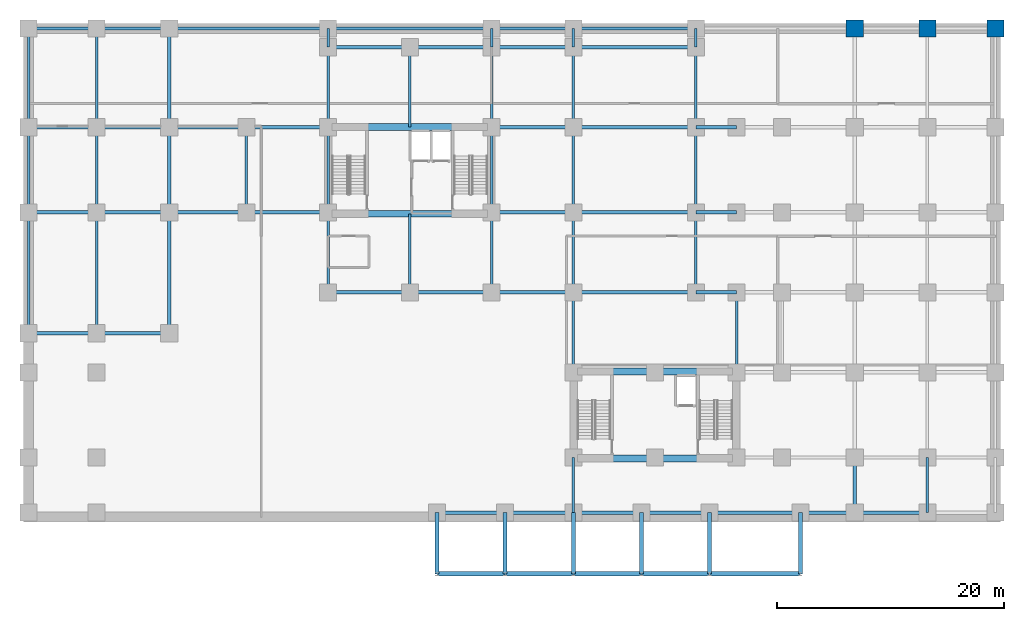
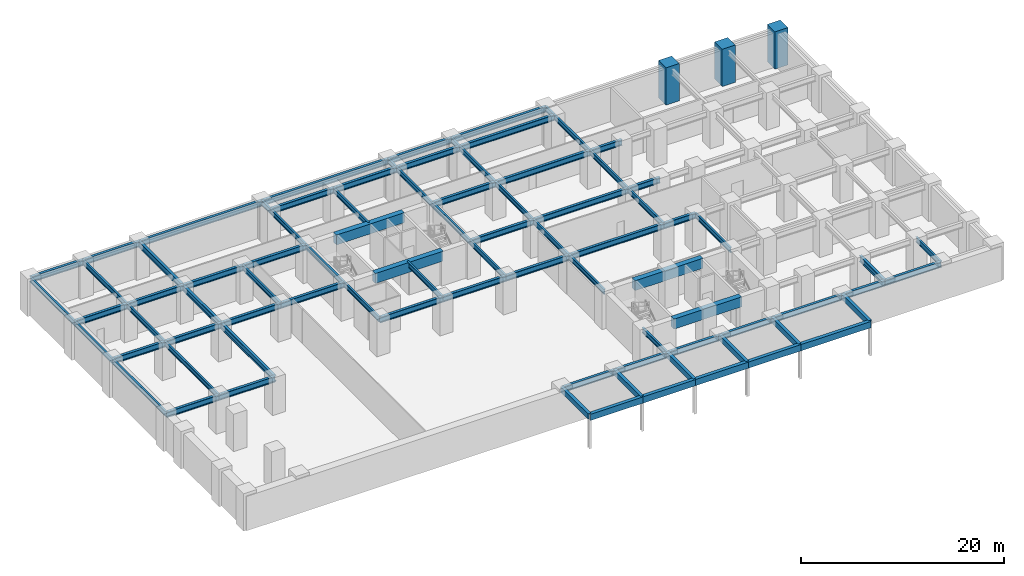
# One storey, part 5 of 11: 86 beams, 3 columns.
"""IFC4 building model written with IfcOpenShell, lengths in metres."""

from ifc_helpers import new_model, si_unit, direction, frame, origin, origin_2d, place, context, subcontext, project, spatial, rectangle, i_section, extrude, source, transform, mapped, material, material_profile, profile_set, type_object, element, save


model = new_model("IFC4")

# Units and contexts
model_context = context("Model", 3, precision=1e-05, world=origin(), true_north=direction((0.0, 1.0)))
body_context = subcontext(model_context, "Body", "Model", "MODEL_VIEW")
ifc_project = project(units=[si_unit("LENGTHUNIT", "METRE"), si_unit("AREAUNIT", "SQUARE_METRE"), si_unit("VOLUMEUNIT", "CUBIC_METRE"), si_unit("PLANEANGLEUNIT", "RADIAN"), si_unit("MASSUNIT", "GRAM", prefix="KILO")], contexts=[model_context])

# Site, building, storey
site_placement = place(None, origin())
site = spatial("IfcSite", under=ifc_project, at=site_placement, CompositionType="ELEMENT")
building_placement = place(site_placement, origin())
building = spatial("IfcBuilding", under=site, at=building_placement, Name="Kaliganga Portal Commons", CompositionType="ELEMENT")
storey_placement = place(building_placement, frame((0.0, 0.0, -4.5)))
storey = spatial("IfcBuildingStorey", under=building, at=storey_placement, Name="B1", CompositionType="ELEMENT", Elevation=-4.5)

# Columns
ifc_material_1 = material(Name="Concrete C70/85", Category="concrete")
ifc_material_profile_1 = material_profile(ifc_material_1, rectangle(XDim=1.5, YDim=1.5, at=origin_2d()), Name="RC 1500x1500")
ifc_profile_set_1 = profile_set([ifc_material_profile_1], Name="Concrete C70/85")
column_type = type_object("IfcColumnType", Name="COL-MEGA-Z0", PredefinedType="COLUMN", material=ifc_profile_set_1)
shared_shape_1 = source(origin(), body_context, "Body", "SweptSolid", [
    extrude(rectangle(XDim=1.5, YDim=1.5, at=origin_2d()), origin(), (0.0, 0.0, 1.0), 4.5),
])
for number, where, z_axis, x_axis, name in (
    (1, (60.800048828125, 44.85009765625, 0.0), (0.0, 0.0, 1.0), (1.0, 0.0, 0.0), "Column MC-01 B1"),
    (2, (67.199951171875, 44.85009765625, 0.0), (0.0, 0.0, 1.0), (1.0, 0.0, 0.0), "Column MC-01 B1"),
    (3, (73.199951171875, 44.85009765625, 0.0), (0.0, 0.0, 1.0), (1.0, 0.0, 0.0), "Column MC-01 B1"),
):
    element("IfcColumn", number, at=place(storey_placement, frame(where, z_axis=z_axis, x_axis=x_axis)), inside=storey, type_object=column_type, Name=name, PredefinedType="COLUMN", context=body_context, shape_type="MappedRepresentation", body=[
        mapped(shared_shape_1, transform((0.0, 0.0, 0.0), x_axis=(1.0, 0.0, 0.0), y_axis=(0.0, 1.0, 0.0), z_axis=(0.0, 0.0, 1.0), scale=1.0)),
    ])

# Beams
ifc_material_2 = material(Name="Concrete C60/75", Category="concrete")
ifc_material_profile_2 = material_profile(ifc_material_2, rectangle(XDim=0.60009765625, YDim=1.199951171875, at=origin_2d()), Name="RC 600x1200")
ifc_profile_set_2 = profile_set([ifc_material_profile_2], Name="Concrete C60/75")
beam_type_1 = type_object("IfcBeamType", Name="BM-CPL-1200", PredefinedType="LINTEL", material=ifc_profile_set_2)
shared_shape_2 = source(origin(), body_context, "Body", "SweptSolid", [
    extrude(rectangle(XDim=0.60009765625, YDim=1.199951171875, at=origin_2d()), origin(), (0.0, 0.0, 1.0), 7.739990234375),
])
for number, where, z_axis, x_axis, name in (
    (4, (17.72998046875, 28.52490234375, 3.550048828125), (1.0, 0.0, 0.0), (0.0, 1.0, 0.0), "BM CPL COREA B1 S"),
    (5, (17.72998046875, 36.175048828125, 3.550048828125), (1.0, 0.0, 0.0), (0.0, 1.0, 0.0), "BM CPL COREA B1 N"),
    (6, (39.330078125, 6.97509765625, 3.550048828125), (1.0, 0.0, 0.0), (0.0, 1.0, 0.0), "BM CPL COREB B1 S"),
    (7, (39.330078125, 14.625, 3.550048828125), (1.0, 0.0, 0.0), (0.0, 1.0, 0.0), "BM CPL COREB B1 N"),
):
    element("IfcBeam", number, at=place(storey_placement, frame(where, z_axis=z_axis, x_axis=x_axis)), inside=storey, type_object=beam_type_1, Name=name, PredefinedType="LINTEL", context=body_context, shape_type="MappedRepresentation", body=[
        mapped(shared_shape_2, transform((0.0, 0.0, 0.0), x_axis=(1.0, 0.0, 0.0), y_axis=(0.0, 1.0, 0.0), z_axis=(0.0, 0.0, 1.0), scale=1.0)),
    ])
ifc_material_3 = material(Name="Structural steel S355J2", Category="steel")
ifc_material_profile_3 = material_profile(ifc_material_3, i_section(OverallWidth=0.300048828125, OverallDepth=0.699951171875, WebThickness=0.01708984375, FlangeThickness=0.031982421875, FilletRadius=0.027099609375, at=origin_2d()), Name="HE 700 B")
ifc_profile_set_3 = profile_set([ifc_material_profile_3], Name="Structural steel S355J2 wide-flange")
beam_type_2 = type_object("IfcBeamType", Name="BM-GIRD-700", PredefinedType="USERDEFINED", material=ifc_profile_set_3)
shared_shape_3 = source(origin(), body_context, "Body", "SweptSolid", [
    extrude(i_section(OverallWidth=0.300048828125, OverallDepth=0.699951171875, WebThickness=0.01708984375, FlangeThickness=0.031982421875, FilletRadius=0.027099609375, at=origin_2d()), origin(), (0.0, 0.0, 1.0), 7.2001953125),
])
for number, where, z_axis, x_axis, name in (
    (8, (14.39990234375, 43.199951171875, 3.800048828125), (1.0, 0.0, 0.0), (0.0, 1.0, 0.0), "BM G B1 AN_INT 1"),
    (9, (14.39990234375, 21.60009765625, 3.800048828125), (1.0, 0.0, 0.0), (0.0, 1.0, 0.0), "BM G B1 AS_INT 1"),
):
    element("IfcBeam", number, at=place(storey_placement, frame(where, z_axis=z_axis, x_axis=x_axis)), inside=storey, type_object=beam_type_2, Name=name, ObjectType="GIRDER", PredefinedType="USERDEFINED", context=body_context, shape_type="MappedRepresentation", body=[
        mapped(shared_shape_3, transform((0.0, 0.0, 0.0), x_axis=(1.0, 0.0, 0.0), y_axis=(0.0, 1.0, 0.0), z_axis=(0.0, 0.0, 1.0), scale=1.0)),
    ])
shared_shape_4 = source(origin(), body_context, "Body", "SweptSolid", [
    extrude(i_section(OverallWidth=0.300048828125, OverallDepth=0.699951171875, WebThickness=0.01708984375, FlangeThickness=0.031982421875, FilletRadius=0.027099609375, at=origin_2d()), origin(), (0.0, 0.0, 1.0), 7.199951171875),
])
for number, where, z_axis, x_axis, name in (
    (10, (21.60009765625, 43.199951171875, 3.800048828125), (1.0, 0.0, 0.0), (0.0, 1.0, 0.0), "BM G B1 AN_INT 2"),
    (11, (28.800048828125, 43.199951171875, 3.800048828125), (1.0, 0.0, 0.0), (0.0, 1.0, 0.0), "BM G B1 AN_INT 3"),
    (12, (21.60009765625, 21.60009765625, 3.800048828125), (1.0, 0.0, 0.0), (0.0, 1.0, 0.0), "BM G B1 AS_INT 2"),
    (13, (28.800048828125, 21.60009765625, 3.800048828125), (1.0, 0.0, 0.0), (0.0, 1.0, 0.0), "BM G B1 AS_INT 3"),
    (14, (7.199951171875, 28.64990234375, 3.800048828125), (1.0, 0.0, 0.0), (0.0, 1.0, 0.0), "BM G B1 WAH_S 2"),
    (15, (7.199951171875, 36.14990234375, 3.800048828125), (1.0, 0.0, 0.0), (0.0, 1.0, 0.0), "BM G B1 WAH_N 2"),
    (16, (28.800048828125, 28.64990234375, 3.800048828125), (1.0, 0.0, 0.0), (0.0, 1.0, 0.0), "BM G B1 WAE_S 1"),
    (17, (28.800048828125, 36.14990234375, 3.800048828125), (1.0, 0.0, 0.0), (0.0, 1.0, 0.0), "BM G B1 WAE_N 1"),
    (18, (28.800048828125, 44.85009765625, 3.800048828125), (1.0, 0.0, 0.0), (0.0, 1.0, 0.0), "BM PODP B1 N44 3"),
):
    element("IfcBeam", number, at=place(storey_placement, frame(where, z_axis=z_axis, x_axis=x_axis)), inside=storey, type_object=beam_type_2, Name=name, ObjectType="GIRDER", PredefinedType="USERDEFINED", context=body_context, shape_type="MappedRepresentation", body=[
        mapped(shared_shape_4, transform((0.0, 0.0, 0.0), x_axis=(1.0, 0.0, 0.0), y_axis=(0.0, 1.0, 0.0), z_axis=(0.0, 0.0, 1.0), scale=1.0)),
    ])
shared_shape_5 = source(origin(), body_context, "Body", "SweptSolid", [
    extrude(i_section(OverallWidth=0.300048828125, OverallDepth=0.699951171875, WebThickness=0.01708984375, FlangeThickness=0.031982421875, FilletRadius=0.027099609375, at=origin_2d()), origin(), (0.0, 0.0, 1.0), 10.800048828125),
])
for number, where, z_axis, x_axis, name in (
    (19, (36.0, 43.199951171875, 3.800048828125), (1.0, 0.0, 0.0), (0.0, 1.0, 0.0), "BM G B1 AN_INT 4"),
    (20, (36.0, 21.60009765625, 3.800048828125), (1.0, 0.0, 0.0), (0.0, 1.0, 0.0), "BM G B1 AS_INT 4"),
    (21, (36.0, 28.64990234375, 3.800048828125), (1.0, 0.0, 0.0), (0.0, 1.0, 0.0), "BM G B1 WAE_S 2"),
    (22, (36.0, 36.14990234375, 3.800048828125), (1.0, 0.0, 0.0), (0.0, 1.0, 0.0), "BM G B1 WAE_N 2"),
    (23, (36.0, 44.85009765625, 3.800048828125), (1.0, 0.0, 0.0), (0.0, 1.0, 0.0), "BM PODP B1 N44 4"),
):
    element("IfcBeam", number, at=place(storey_placement, frame(where, z_axis=z_axis, x_axis=x_axis)), inside=storey, type_object=beam_type_2, Name=name, ObjectType="GIRDER", PredefinedType="USERDEFINED", context=body_context, shape_type="MappedRepresentation", body=[
        mapped(shared_shape_5, transform((0.0, 0.0, 0.0), x_axis=(1.0, 0.0, 0.0), y_axis=(0.0, 1.0, 0.0), z_axis=(0.0, 0.0, 1.0), scale=1.0)),
    ])
shared_shape_6 = source(origin(), body_context, "Body", "SweptSolid", [
    extrude(i_section(OverallWidth=0.300048828125, OverallDepth=0.699951171875, WebThickness=0.01708984375, FlangeThickness=0.031982421875, FilletRadius=0.027099609375, at=origin_2d()), origin(), (0.0, 0.0, 1.0), 6.800048828125),
])
for number, where, z_axis, x_axis, name in (
    (24, (0.39990234375, 28.64990234375, 3.800048828125), (1.0, 0.0, 0.0), (0.0, 1.0, 0.0), "BM G B1 WAH_S 1"),
    (25, (0.39990234375, 36.14990234375, 3.800048828125), (1.0, 0.0, 0.0), (0.0, 1.0, 0.0), "BM G B1 WAH_N 1"),
):
    element("IfcBeam", number, at=place(storey_placement, frame(where, z_axis=z_axis, x_axis=x_axis)), inside=storey, type_object=beam_type_2, Name=name, ObjectType="GIRDER", PredefinedType="USERDEFINED", context=body_context, shape_type="MappedRepresentation", body=[
        mapped(shared_shape_6, transform((0.0, 0.0, 0.0), x_axis=(1.0, 0.0, 0.0), y_axis=(0.0, 1.0, 0.0), z_axis=(0.0, 0.0, 1.0), scale=1.0)),
    ])
ifc_material_profile_4 = material_profile(ifc_material_3, i_section(OverallWidth=0.219970703125, OverallDepth=0.60009765625, WebThickness=0.011962890625, FlangeThickness=0.01904296875, FilletRadius=0.02392578125, at=origin_2d()), Name="IPE 600")
ifc_profile_set_4 = profile_set([ifc_material_profile_4], Name="Structural steel S355J2 wide-flange")
beam_type_3 = type_object("IfcBeamType", Name="BM-FLR-600", PredefinedType="BEAM", material=ifc_profile_set_4)
shared_shape_7 = source(origin(), body_context, "Body", "SweptSolid", [
    extrude(i_section(OverallWidth=0.219970703125, OverallDepth=0.60009765625, WebThickness=0.011962890625, FlangeThickness=0.01904296875, FilletRadius=0.02392578125, at=origin_2d()), origin(), (0.0, 0.0, 1.0), 7.5),
])
for number, where, z_axis, x_axis, name in (
    (26, (7.199951171875, 28.64990234375, 3.85009765625), (0.0, 1.0, 0.0), (-1.0, 0.0, 0.0), "BM G B1 AW72"),
    (27, (14.39990234375, 28.64990234375, 3.85009765625), (0.0, 1.0, 0.0), (-1.0, 0.0, 0.0), "BM G B1 AM144"),
    (28, (28.800048828125, 28.64990234375, 3.85009765625), (0.0, 1.0, 0.0), (-1.0, 0.0, 0.0), "BM G B1 AM288"),
    (29, (36.0, 28.64990234375, 3.85009765625), (0.0, 1.0, 0.0), (-1.0, 0.0, 0.0), "BM G B1 AM360"),
    (30, (46.800048828125, 28.64990234375, 3.85009765625), (0.0, 1.0, 0.0), (-1.0, 0.0, 0.0), "BM G B1 AM468"),
    (31, (-12.0, 28.64990234375, 3.85009765625), (0.0, 1.0, 0.0), (-1.0, 0.0, 0.0), "BM PODW B1 X12 2"),
    (32, (-6.0, 28.64990234375, 3.85009765625), (0.0, 1.0, 0.0), (-1.0, 0.0, 0.0), "BM PODW B1 X6 2"),
):
    element("IfcBeam", number, at=place(storey_placement, frame(where, z_axis=z_axis, x_axis=x_axis)), inside=storey, type_object=beam_type_3, Name=name, PredefinedType="BEAM", context=body_context, shape_type="MappedRepresentation", body=[
        mapped(shared_shape_7, transform((0.0, 0.0, 0.0), x_axis=(1.0, 0.0, 0.0), y_axis=(0.0, 1.0, 0.0), z_axis=(0.0, 0.0, 1.0), scale=1.0)),
    ])
shared_shape_8 = source(origin(), body_context, "Body", "SweptSolid", [
    extrude(i_section(OverallWidth=0.219970703125, OverallDepth=0.60009765625, WebThickness=0.011962890625, FlangeThickness=0.01904296875, FilletRadius=0.02392578125, at=origin_2d()), origin(), (0.0, 0.0, 1.0), 7.050048828125),
])
for number, where, z_axis, x_axis, name in (
    (33, (14.39990234375, 36.14990234375, 3.85009765625), (0.0, 1.0, 0.0), (-1.0, 0.0, 0.0), "BM G B1 AN144"),
    (34, (28.800048828125, 36.14990234375, 3.85009765625), (0.0, 1.0, 0.0), (-1.0, 0.0, 0.0), "BM G B1 AN288"),
    (35, (36.0, 36.14990234375, 3.85009765625), (0.0, 1.0, 0.0), (-1.0, 0.0, 0.0), "BM G B1 AN360"),
    (36, (46.800048828125, 36.14990234375, 3.85009765625), (0.0, 1.0, 0.0), (-1.0, 0.0, 0.0), "BM G B1 AN468"),
    (37, (36.0, 14.550048828125, 3.85009765625), (0.0, 1.0, 0.0), (-1.0, 0.0, 0.0), "BM G B1 BNK360"),
    (38, (50.39990234375, 14.550048828125, 3.85009765625), (0.0, 1.0, 0.0), (-1.0, 0.0, 0.0), "BM G B1 BNK504"),
):
    element("IfcBeam", number, at=place(storey_placement, frame(where, z_axis=z_axis, x_axis=x_axis)), inside=storey, type_object=beam_type_3, Name=name, PredefinedType="BEAM", context=body_context, shape_type="MappedRepresentation", body=[
        mapped(shared_shape_8, transform((0.0, 0.0, 0.0), x_axis=(1.0, 0.0, 0.0), y_axis=(0.0, 1.0, 0.0), z_axis=(0.0, 0.0, 1.0), scale=1.0)),
    ])
shared_shape_9 = source(origin(), body_context, "Body", "SweptSolid", [
    extrude(i_section(OverallWidth=0.219970703125, OverallDepth=0.60009765625, WebThickness=0.011962890625, FlangeThickness=0.01904296875, FilletRadius=0.02392578125, at=origin_2d()), origin(), (0.0, 0.0, 1.0), 7.0498046875),
])
for number, where, z_axis, x_axis, name in (
    (39, (14.39990234375, 21.60009765625, 3.85009765625), (0.0, 1.0, 0.0), (-1.0, 0.0, 0.0), "BM G B1 AS144"),
    (40, (28.800048828125, 21.60009765625, 3.85009765625), (0.0, 1.0, 0.0), (-1.0, 0.0, 0.0), "BM G B1 AS288"),
    (41, (36.0, 21.60009765625, 3.85009765625), (0.0, 1.0, 0.0), (-1.0, 0.0, 0.0), "BM G B1 AS360"),
    (42, (46.800048828125, 21.60009765625, 3.85009765625), (0.0, 1.0, 0.0), (-1.0, 0.0, 0.0), "BM G B1 AS468"),
):
    element("IfcBeam", number, at=place(storey_placement, frame(where, z_axis=z_axis, x_axis=x_axis)), inside=storey, type_object=beam_type_3, Name=name, PredefinedType="BEAM", context=body_context, shape_type="MappedRepresentation", body=[
        mapped(shared_shape_9, transform((0.0, 0.0, 0.0), x_axis=(1.0, 0.0, 0.0), y_axis=(0.0, 1.0, 0.0), z_axis=(0.0, 0.0, 1.0), scale=1.0)),
    ])
shared_shape_10 = source(origin(), body_context, "Body", "SweptSolid", [
    extrude(i_section(OverallWidth=0.219970703125, OverallDepth=0.60009765625, WebThickness=0.011962890625, FlangeThickness=0.01904296875, FilletRadius=0.02392578125, at=origin_2d()), origin(), (0.0, 0.0, 1.0), 7.02490234375),
])
beam_1_placement = place(storey_placement, frame((21.60009765625, 36.175048828125, 3.85009765625), z_axis=(0.0, 1.0, 0.0), x_axis=(-1.0, 0.0, 0.0)))
element("IfcBeam", 43, at=beam_1_placement, inside=storey, type_object=beam_type_3, Name="BM G B1 AN216", PredefinedType="BEAM", context=body_context, shape_type="MappedRepresentation", body=[
    mapped(shared_shape_10, transform((0.0, 0.0, 0.0), x_axis=(1.0, 0.0, 0.0), y_axis=(0.0, 1.0, 0.0), z_axis=(0.0, 0.0, 1.0), scale=1.0)),
])
shared_shape_11 = source(origin(), body_context, "Body", "SweptSolid", [
    extrude(i_section(OverallWidth=0.219970703125, OverallDepth=0.60009765625, WebThickness=0.011962890625, FlangeThickness=0.01904296875, FilletRadius=0.02392578125, at=origin_2d()), origin(), (0.0, 0.0, 1.0), 6.9248046875),
])
beam_2_placement = place(storey_placement, frame((21.60009765625, 21.60009765625, 3.85009765625), z_axis=(0.0, 1.0, 0.0), x_axis=(-1.0, 0.0, 0.0)))
element("IfcBeam", 44, at=beam_2_placement, inside=storey, type_object=beam_type_3, Name="BM G B1 AS216", PredefinedType="BEAM", context=body_context, shape_type="MappedRepresentation", body=[
    mapped(shared_shape_11, transform((0.0, 0.0, 0.0), x_axis=(1.0, 0.0, 0.0), y_axis=(0.0, 1.0, 0.0), z_axis=(0.0, 0.0, 1.0), scale=1.0)),
])
shared_shape_12 = source(origin(), body_context, "Body", "SweptSolid", [
    extrude(i_section(OverallWidth=0.300048828125, OverallDepth=0.699951171875, WebThickness=0.01708984375, FlangeThickness=0.031982421875, FilletRadius=0.027099609375, at=origin_2d()), origin(), (0.0, 0.0, 1.0), 3.599853515625),
])
for number, where, z_axis, x_axis, name in (
    (45, (46.800048828125, 21.60009765625, 3.800048828125), (1.0, 0.0, 0.0), (0.0, 1.0, 0.0), "BM G B1 BKE216 1"),
    (46, (46.800048828125, 28.64990234375, 3.800048828125), (1.0, 0.0, 0.0), (0.0, 1.0, 0.0), "BM G B1 BKE286 1"),
    (47, (46.800048828125, 36.14990234375, 3.800048828125), (1.0, 0.0, 0.0), (0.0, 1.0, 0.0), "BM G B1 BKE362 1"),
):
    element("IfcBeam", number, at=place(storey_placement, frame(where, z_axis=z_axis, x_axis=x_axis)), inside=storey, type_object=beam_type_2, Name=name, ObjectType="GIRDER", PredefinedType="USERDEFINED", context=body_context, shape_type="MappedRepresentation", body=[
        mapped(shared_shape_12, transform((0.0, 0.0, 0.0), x_axis=(1.0, 0.0, 0.0), y_axis=(0.0, 1.0, 0.0), z_axis=(0.0, 0.0, 1.0), scale=1.0)),
    ])
shared_shape_13 = source(origin(), body_context, "Body", "SweptSolid", [
    extrude(i_section(OverallWidth=0.300048828125, OverallDepth=0.699951171875, WebThickness=0.01708984375, FlangeThickness=0.031982421875, FilletRadius=0.027099609375, at=origin_2d()), origin(), (0.0, 0.0, 1.0), 10.64990234375),
])
beam_3_placement = place(storey_placement, frame((0.39990234375, 18.0, 3.800048828125), z_axis=(0.0, 1.0, 0.0), x_axis=(-1.0, 0.0, 0.0)))
element("IfcBeam", 48, at=beam_3_placement, inside=storey, type_object=beam_type_2, Name="BM PODP B1 W04 1", ObjectType="GIRDER", PredefinedType="USERDEFINED", context=body_context, shape_type="MappedRepresentation", body=[
    mapped(shared_shape_13, transform((0.0, 0.0, 0.0), x_axis=(1.0, 0.0, 0.0), y_axis=(0.0, 1.0, 0.0), z_axis=(0.0, 0.0, 1.0), scale=1.0)),
])
shared_shape_14 = source(origin(), body_context, "Body", "SweptSolid", [
    extrude(i_section(OverallWidth=0.300048828125, OverallDepth=0.699951171875, WebThickness=0.01708984375, FlangeThickness=0.031982421875, FilletRadius=0.027099609375, at=origin_2d()), origin(), (0.0, 0.0, 1.0), 7.5),
])
beam_4_placement = place(storey_placement, frame((0.39990234375, 28.64990234375, 3.800048828125), z_axis=(0.0, 1.0, 0.0), x_axis=(-1.0, 0.0, 0.0)))
element("IfcBeam", 49, at=beam_4_placement, inside=storey, type_object=beam_type_2, Name="BM PODP B1 W04 2", ObjectType="GIRDER", PredefinedType="USERDEFINED", context=body_context, shape_type="MappedRepresentation", body=[
    mapped(shared_shape_14, transform((0.0, 0.0, 0.0), x_axis=(1.0, 0.0, 0.0), y_axis=(0.0, 1.0, 0.0), z_axis=(0.0, 0.0, 1.0), scale=1.0)),
])
shared_shape_15 = source(origin(), body_context, "Body", "SweptSolid", [
    extrude(i_section(OverallWidth=0.300048828125, OverallDepth=0.699951171875, WebThickness=0.01708984375, FlangeThickness=0.031982421875, FilletRadius=0.027099609375, at=origin_2d()), origin(), (0.0, 0.0, 1.0), 8.7001953125),
])
beam_5_placement = place(storey_placement, frame((0.39990234375, 36.14990234375, 3.800048828125), z_axis=(0.0, 1.0, 0.0), x_axis=(-1.0, 0.0, 0.0)))
element("IfcBeam", 50, at=beam_5_placement, inside=storey, type_object=beam_type_2, Name="BM PODP B1 W04 3", ObjectType="GIRDER", PredefinedType="USERDEFINED", context=body_context, shape_type="MappedRepresentation", body=[
    mapped(shared_shape_15, transform((0.0, 0.0, 0.0), x_axis=(1.0, 0.0, 0.0), y_axis=(0.0, 1.0, 0.0), z_axis=(0.0, 0.0, 1.0), scale=1.0)),
])
shared_shape_16 = source(origin(), body_context, "Body", "SweptSolid", [
    extrude(i_section(OverallWidth=0.300048828125, OverallDepth=0.699951171875, WebThickness=0.01708984375, FlangeThickness=0.031982421875, FilletRadius=0.027099609375, at=origin_2d()), origin(), (0.0, 0.0, 1.0), 14.0),
])
beam_6_placement = place(storey_placement, frame((0.39990234375, 44.85009765625, 3.800048828125), z_axis=(1.0, 0.0, 0.0), x_axis=(0.0, 1.0, 0.0)))
element("IfcBeam", 51, at=beam_6_placement, inside=storey, type_object=beam_type_2, Name="BM PODP B1 N44 1", ObjectType="GIRDER", PredefinedType="USERDEFINED", context=body_context, shape_type="MappedRepresentation", body=[
    mapped(shared_shape_16, transform((0.0, 0.0, 0.0), x_axis=(1.0, 0.0, 0.0), y_axis=(0.0, 1.0, 0.0), z_axis=(0.0, 0.0, 1.0), scale=1.0)),
])
shared_shape_17 = source(origin(), body_context, "Body", "SweptSolid", [
    extrude(i_section(OverallWidth=0.300048828125, OverallDepth=0.699951171875, WebThickness=0.01708984375, FlangeThickness=0.031982421875, FilletRadius=0.027099609375, at=origin_2d()), origin(), (0.0, 0.0, 1.0), 14.400146484375),
])
beam_7_placement = place(storey_placement, frame((14.39990234375, 44.85009765625, 3.800048828125), z_axis=(1.0, 0.0, 0.0), x_axis=(0.0, 1.0, 0.0)))
element("IfcBeam", 52, at=beam_7_placement, inside=storey, type_object=beam_type_2, Name="BM PODP B1 N44 2", ObjectType="GIRDER", PredefinedType="USERDEFINED", context=body_context, shape_type="MappedRepresentation", body=[
    mapped(shared_shape_17, transform((0.0, 0.0, 0.0), x_axis=(1.0, 0.0, 0.0), y_axis=(0.0, 1.0, 0.0), z_axis=(0.0, 0.0, 1.0), scale=1.0)),
])
shared_shape_18 = source(origin(), body_context, "Body", "SweptSolid", [
    extrude(i_section(OverallWidth=0.300048828125, OverallDepth=0.699951171875, WebThickness=0.01708984375, FlangeThickness=0.031982421875, FilletRadius=0.027099609375, at=origin_2d()), origin(), (0.0, 0.0, 1.0), 4.85009765625),
])
beam_8_placement = place(storey_placement, frame((60.800048828125, 2.199951171875, 3.800048828125), z_axis=(0.0, 1.0, 0.0), x_axis=(-1.0, 0.0, 0.0)))
element("IfcBeam", 53, at=beam_8_placement, inside=storey, type_object=beam_type_2, Name="BM PODP B1 E60 1", ObjectType="GIRDER", PredefinedType="USERDEFINED", context=body_context, shape_type="MappedRepresentation", body=[
    mapped(shared_shape_18, transform((0.0, 0.0, 0.0), x_axis=(1.0, 0.0, 0.0), y_axis=(0.0, 1.0, 0.0), z_axis=(0.0, 0.0, 1.0), scale=1.0)),
])
shared_shape_19 = source(origin(), body_context, "Body", "SweptSolid", [
    extrude(i_section(OverallWidth=0.300048828125, OverallDepth=0.699951171875, WebThickness=0.01708984375, FlangeThickness=0.031982421875, FilletRadius=0.027099609375, at=origin_2d()), origin(), (0.0, 0.0, 1.0), 6.0),
])
for number, where, z_axis, x_axis, name in (
    (54, (24.0, 2.199951171875, 3.800048828125), (1.0, 0.0, 0.0), (0.0, 1.0, 0.0), "BM PODP B1 S02 1"),
    (55, (30.0, 2.199951171875, 3.800048828125), (1.0, 0.0, 0.0), (0.0, 1.0, 0.0), "BM PODP B1 S02 2"),
    (56, (36.0, 2.199951171875, 3.800048828125), (1.0, 0.0, 0.0), (0.0, 1.0, 0.0), "BM PODP B1 S02 3"),
    (57, (42.0, 2.199951171875, 3.800048828125), (1.0, 0.0, 0.0), (0.0, 1.0, 0.0), "BM PODP B1 S02 4"),
    (58, (-12.0, 18.0, 3.800048828125), (1.0, 0.0, 0.0), (0.0, 1.0, 0.0), "BM PODW B1 Y18 1"),
    (59, (-12.0, 28.64990234375, 3.800048828125), (1.0, 0.0, 0.0), (0.0, 1.0, 0.0), "BM PODW B1 Y28 1"),
    (60, (-12.0, 36.14990234375, 3.800048828125), (1.0, 0.0, 0.0), (0.0, 1.0, 0.0), "BM PODW B1 Y36 1"),
    (61, (-12.0, 44.85009765625, 3.800048828125), (1.0, 0.0, 0.0), (0.0, 1.0, 0.0), "BM PODW B1 Y44 1"),
):
    element("IfcBeam", number, at=place(storey_placement, frame(where, z_axis=z_axis, x_axis=x_axis)), inside=storey, type_object=beam_type_2, Name=name, ObjectType="GIRDER", PredefinedType="USERDEFINED", context=body_context, shape_type="MappedRepresentation", body=[
        mapped(shared_shape_19, transform((0.0, 0.0, 0.0), x_axis=(1.0, 0.0, 0.0), y_axis=(0.0, 1.0, 0.0), z_axis=(0.0, 0.0, 1.0), scale=1.0)),
    ])
shared_shape_20 = source(origin(), body_context, "Body", "SweptSolid", [
    extrude(i_section(OverallWidth=0.300048828125, OverallDepth=0.699951171875, WebThickness=0.01708984375, FlangeThickness=0.031982421875, FilletRadius=0.027099609375, at=origin_2d()), origin(), (0.0, 0.0, 1.0), 8.0),
])
beam_9_placement = place(storey_placement, frame((48.0, 2.199951171875, 3.800048828125), z_axis=(1.0, 0.0, 0.0), x_axis=(0.0, 1.0, 0.0)))
element("IfcBeam", 62, at=beam_9_placement, inside=storey, type_object=beam_type_2, Name="BM PODP B1 S02 5", ObjectType="GIRDER", PredefinedType="USERDEFINED", context=body_context, shape_type="MappedRepresentation", body=[
    mapped(shared_shape_20, transform((0.0, 0.0, 0.0), x_axis=(1.0, 0.0, 0.0), y_axis=(0.0, 1.0, 0.0), z_axis=(0.0, 0.0, 1.0), scale=1.0)),
])
shared_shape_21 = source(origin(), body_context, "Body", "SweptSolid", [
    extrude(i_section(OverallWidth=0.300048828125, OverallDepth=0.699951171875, WebThickness=0.01708984375, FlangeThickness=0.031982421875, FilletRadius=0.027099609375, at=origin_2d()), origin(), (0.0, 0.0, 1.0), 4.800048828125),
])
beam_10_placement = place(storey_placement, frame((56.0, 2.199951171875, 3.800048828125), z_axis=(1.0, 0.0, 0.0), x_axis=(0.0, 1.0, 0.0)))
element("IfcBeam", 63, at=beam_10_placement, inside=storey, type_object=beam_type_2, Name="BM PODP B1 S02 6", ObjectType="GIRDER", PredefinedType="USERDEFINED", context=body_context, shape_type="MappedRepresentation", body=[
    mapped(shared_shape_21, transform((0.0, 0.0, 0.0), x_axis=(1.0, 0.0, 0.0), y_axis=(0.0, 1.0, 0.0), z_axis=(0.0, 0.0, 1.0), scale=1.0)),
])
shared_shape_22 = source(origin(), body_context, "Body", "SweptSolid", [
    extrude(i_section(OverallWidth=0.219970703125, OverallDepth=0.60009765625, WebThickness=0.011962890625, FlangeThickness=0.01904296875, FilletRadius=0.02392578125, at=origin_2d()), origin(), (0.0, 0.0, 1.0), 1.650146484375),
])
for number, where, z_axis, x_axis, name in (
    (64, (14.39990234375, 43.199951171875, 3.85009765625), (0.0, 1.0, 0.0), (-1.0, 0.0, 0.0), "BM PODP B1 NT14"),
    (65, (28.800048828125, 43.199951171875, 3.85009765625), (0.0, 1.0, 0.0), (-1.0, 0.0, 0.0), "BM PODP B1 NT28"),
    (66, (36.0, 43.199951171875, 3.85009765625), (0.0, 1.0, 0.0), (-1.0, 0.0, 0.0), "BM PODP B1 NT36"),
    (67, (46.800048828125, 43.199951171875, 3.85009765625), (0.0, 1.0, 0.0), (-1.0, 0.0, 0.0), "BM PODP B1 NT46"),
):
    element("IfcBeam", number, at=place(storey_placement, frame(where, z_axis=z_axis, x_axis=x_axis)), inside=storey, type_object=beam_type_3, Name=name, PredefinedType="BEAM", context=body_context, shape_type="MappedRepresentation", body=[
        mapped(shared_shape_22, transform((0.0, 0.0, 0.0), x_axis=(1.0, 0.0, 0.0), y_axis=(0.0, 1.0, 0.0), z_axis=(0.0, 0.0, 1.0), scale=1.0)),
    ])
shared_shape_23 = source(origin(), body_context, "Body", "SweptSolid", [
    extrude(i_section(OverallWidth=0.219970703125, OverallDepth=0.60009765625, WebThickness=0.011962890625, FlangeThickness=0.01904296875, FilletRadius=0.02392578125, at=origin_2d()), origin(), (0.0, 0.0, 1.0), 4.85009765625),
])
for number, where, z_axis, x_axis, name in (
    (68, (36.0, 2.199951171875, 3.85009765625), (0.0, 1.0, 0.0), (-1.0, 0.0, 0.0), "BM PODP B1 ST36"),
    (69, (67.199951171875, 2.199951171875, 3.85009765625), (0.0, 1.0, 0.0), (-1.0, 0.0, 0.0), "BM PODE B1 X67 1"),
):
    element("IfcBeam", number, at=place(storey_placement, frame(where, z_axis=z_axis, x_axis=x_axis)), inside=storey, type_object=beam_type_3, Name=name, PredefinedType="BEAM", context=body_context, shape_type="MappedRepresentation", body=[
        mapped(shared_shape_23, transform((0.0, 0.0, 0.0), x_axis=(1.0, 0.0, 0.0), y_axis=(0.0, 1.0, 0.0), z_axis=(0.0, 0.0, 1.0), scale=1.0)),
    ])
shared_shape_24 = source(origin(), body_context, "Body", "SweptSolid", [
    extrude(i_section(OverallWidth=0.300048828125, OverallDepth=0.699951171875, WebThickness=0.01708984375, FlangeThickness=0.031982421875, FilletRadius=0.027099609375, at=origin_2d()), origin(), (0.0, 0.0, 1.0), 6.39990234375),
])
for number, where, z_axis, x_axis, name in (
    (70, (-6.0, 18.0, 3.800048828125), (1.0, 0.0, 0.0), (0.0, 1.0, 0.0), "BM PODW B1 Y18 2"),
    (71, (-6.0, 28.64990234375, 3.800048828125), (1.0, 0.0, 0.0), (0.0, 1.0, 0.0), "BM PODW B1 Y28 2"),
    (72, (-6.0, 36.14990234375, 3.800048828125), (1.0, 0.0, 0.0), (0.0, 1.0, 0.0), "BM PODW B1 Y36 2"),
    (73, (-6.0, 44.85009765625, 3.800048828125), (1.0, 0.0, 0.0), (0.0, 1.0, 0.0), "BM PODW B1 Y44 2"),
    (74, (60.800048828125, 2.199951171875, 3.800048828125), (1.0, 0.0, 0.0), (0.0, 1.0, 0.0), "BM PODE B1 Y2 1"),
):
    element("IfcBeam", number, at=place(storey_placement, frame(where, z_axis=z_axis, x_axis=x_axis)), inside=storey, type_object=beam_type_2, Name=name, ObjectType="GIRDER", PredefinedType="USERDEFINED", context=body_context, shape_type="MappedRepresentation", body=[
        mapped(shared_shape_24, transform((0.0, 0.0, 0.0), x_axis=(1.0, 0.0, 0.0), y_axis=(0.0, 1.0, 0.0), z_axis=(0.0, 0.0, 1.0), scale=1.0)),
    ])
shared_shape_25 = source(origin(), body_context, "Body", "SweptSolid", [
    extrude(i_section(OverallWidth=0.219970703125, OverallDepth=0.60009765625, WebThickness=0.011962890625, FlangeThickness=0.01904296875, FilletRadius=0.02392578125, at=origin_2d()), origin(), (0.0, 0.0, 1.0), 10.64990234375),
])
for number, where, z_axis, x_axis, name in (
    (75, (-12.0, 18.0, 3.85009765625), (0.0, 1.0, 0.0), (-1.0, 0.0, 0.0), "BM PODW B1 X12 1"),
    (76, (-6.0, 18.0, 3.85009765625), (0.0, 1.0, 0.0), (-1.0, 0.0, 0.0), "BM PODW B1 X6 1"),
):
    element("IfcBeam", number, at=place(storey_placement, frame(where, z_axis=z_axis, x_axis=x_axis)), inside=storey, type_object=beam_type_3, Name=name, PredefinedType="BEAM", context=body_context, shape_type="MappedRepresentation", body=[
        mapped(shared_shape_25, transform((0.0, 0.0, 0.0), x_axis=(1.0, 0.0, 0.0), y_axis=(0.0, 1.0, 0.0), z_axis=(0.0, 0.0, 1.0), scale=1.0)),
    ])
shared_shape_26 = source(origin(), body_context, "Body", "SweptSolid", [
    extrude(i_section(OverallWidth=0.219970703125, OverallDepth=0.60009765625, WebThickness=0.011962890625, FlangeThickness=0.01904296875, FilletRadius=0.02392578125, at=origin_2d()), origin(), (0.0, 0.0, 1.0), 8.7001953125),
])
for number, where, z_axis, x_axis, name in (
    (77, (-12.0, 36.14990234375, 3.85009765625), (0.0, 1.0, 0.0), (-1.0, 0.0, 0.0), "BM PODW B1 X12 3"),
    (78, (-6.0, 36.14990234375, 3.85009765625), (0.0, 1.0, 0.0), (-1.0, 0.0, 0.0), "BM PODW B1 X6 3"),
):
    element("IfcBeam", number, at=place(storey_placement, frame(where, z_axis=z_axis, x_axis=x_axis)), inside=storey, type_object=beam_type_3, Name=name, PredefinedType="BEAM", context=body_context, shape_type="MappedRepresentation", body=[
        mapped(shared_shape_26, transform((0.0, 0.0, 0.0), x_axis=(1.0, 0.0, 0.0), y_axis=(0.0, 1.0, 0.0), z_axis=(0.0, 0.0, 1.0), scale=1.0)),
    ])
ifc_material_4 = material(Name="Concrete C50/60", Category="concrete")
ifc_material_profile_5 = material_profile(ifc_material_4, rectangle(XDim=0.39990234375, YDim=0.75, at=origin_2d()), Name="RC 400x750")
ifc_profile_set_5 = profile_set([ifc_material_profile_5], Name="Concrete C50/60")
beam_type_4 = type_object("IfcBeamType", Name="BM-RC-750", PredefinedType="BEAM", material=ifc_profile_set_5)
shared_shape_27 = source(origin(), body_context, "Body", "SweptSolid", [
    extrude(rectangle(XDim=0.39990234375, YDim=0.75, at=origin_2d()), origin(), (0.0, 0.0, 1.0), 6.0),
])
for number, where, z_axis, x_axis, name in (
    (79, (24.0, -3.199951171875, 3.7900390625), (1.0, 0.0, 0.0), (0.0, 1.0, 0.0), "BM PROM LON 1"),
    (80, (30.0, -3.199951171875, 3.7900390625), (1.0, 0.0, 0.0), (0.0, 1.0, 0.0), "BM PROM LON 2"),
    (81, (36.0, -3.199951171875, 3.7900390625), (1.0, 0.0, 0.0), (0.0, 1.0, 0.0), "BM PROM LON 3"),
    (82, (42.0, -3.199951171875, 3.7900390625), (1.0, 0.0, 0.0), (0.0, 1.0, 0.0), "BM PROM LON 4"),
):
    element("IfcBeam", number, at=place(storey_placement, frame(where, z_axis=z_axis, x_axis=x_axis)), inside=storey, type_object=beam_type_4, Name=name, PredefinedType="BEAM", context=body_context, shape_type="MappedRepresentation", body=[
        mapped(shared_shape_27, transform((0.0, 0.0, 0.0), x_axis=(1.0, 0.0, 0.0), y_axis=(0.0, 1.0, 0.0), z_axis=(0.0, 0.0, 1.0), scale=1.0)),
    ])
shared_shape_28 = source(origin(), body_context, "Body", "SweptSolid", [
    extrude(rectangle(XDim=0.39990234375, YDim=0.75, at=origin_2d()), origin(), (0.0, 0.0, 1.0), 8.0),
])
beam_11_placement = place(storey_placement, frame((48.0, -3.199951171875, 3.7900390625), z_axis=(1.0, 0.0, 0.0), x_axis=(0.0, 1.0, 0.0)))
element("IfcBeam", 83, at=beam_11_placement, inside=storey, type_object=beam_type_4, Name="BM PROM LON 5", PredefinedType="BEAM", context=body_context, shape_type="MappedRepresentation", body=[
    mapped(shared_shape_28, transform((0.0, 0.0, 0.0), x_axis=(1.0, 0.0, 0.0), y_axis=(0.0, 1.0, 0.0), z_axis=(0.0, 0.0, 1.0), scale=1.0)),
])
ifc_material_5 = material(Name="Concrete C40/50", Category="concrete")
ifc_material_profile_6 = material_profile(ifc_material_5, rectangle(XDim=0.35009765625, YDim=0.64990234375, at=origin_2d()), Name="RC 350x650")
ifc_profile_set_6 = profile_set([ifc_material_profile_6], Name="Concrete C40/50")
beam_type_5 = type_object("IfcBeamType", Name="BM-RC-650", PredefinedType="BEAM", material=ifc_profile_set_6)
shared_shape_29 = source(origin(), body_context, "Body", "SweptSolid", [
    extrude(rectangle(XDim=0.35009765625, YDim=0.64990234375, at=origin_2d()), origin(), (0.0, 0.0, 1.0), 5.39990234375),
])
for number, where, z_axis, x_axis, name in (
    (84, (24.0, -3.199951171875, 3.840087890625), (0.0, 1.0, 0.0), (-1.0, 0.0, 0.0), "BM PROM TIE 01"),
    (85, (30.0, -3.199951171875, 3.840087890625), (0.0, 1.0, 0.0), (-1.0, 0.0, 0.0), "BM PROM TIE 02"),
    (86, (36.0, -3.199951171875, 3.840087890625), (0.0, 1.0, 0.0), (-1.0, 0.0, 0.0), "BM PROM TIE 03"),
    (87, (42.0, -3.199951171875, 3.840087890625), (0.0, 1.0, 0.0), (-1.0, 0.0, 0.0), "BM PROM TIE 04"),
    (88, (48.0, -3.199951171875, 3.840087890625), (0.0, 1.0, 0.0), (-1.0, 0.0, 0.0), "BM PROM TIE 05"),
    (89, (56.0, -3.199951171875, 3.840087890625), (0.0, 1.0, 0.0), (-1.0, 0.0, 0.0), "BM PROM TIE 06"),
):
    element("IfcBeam", number, at=place(storey_placement, frame(where, z_axis=z_axis, x_axis=x_axis)), inside=storey, type_object=beam_type_5, Name=name, PredefinedType="BEAM", context=body_context, shape_type="MappedRepresentation", body=[
        mapped(shared_shape_29, transform((0.0, 0.0, 0.0), x_axis=(1.0, 0.0, 0.0), y_axis=(0.0, 1.0, 0.0), z_axis=(0.0, 0.0, 1.0), scale=1.0)),
    ])

save(model, "model.ifc")
